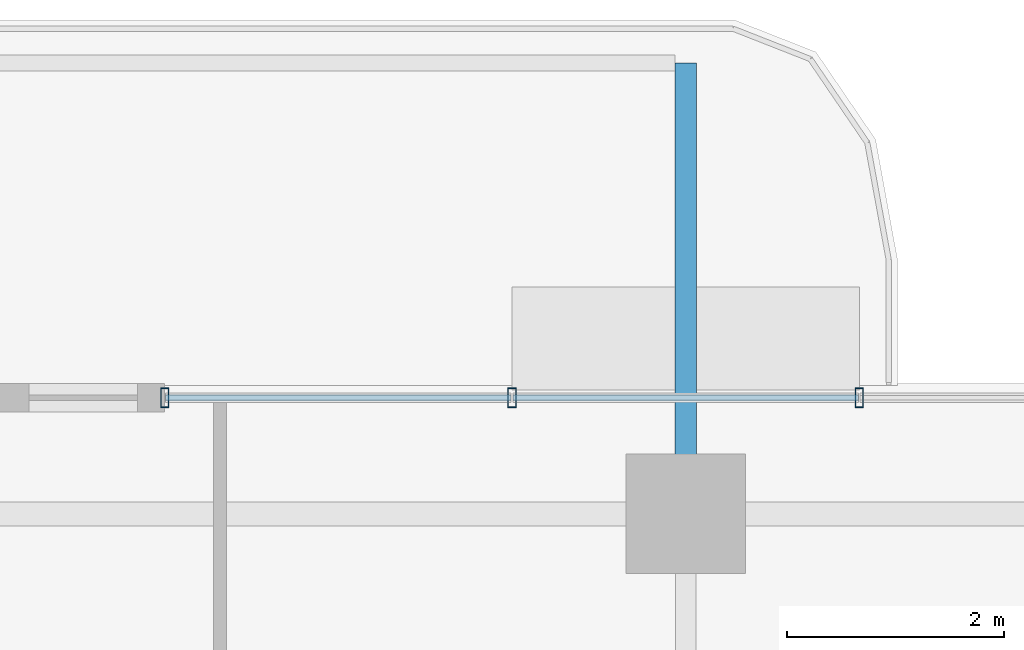
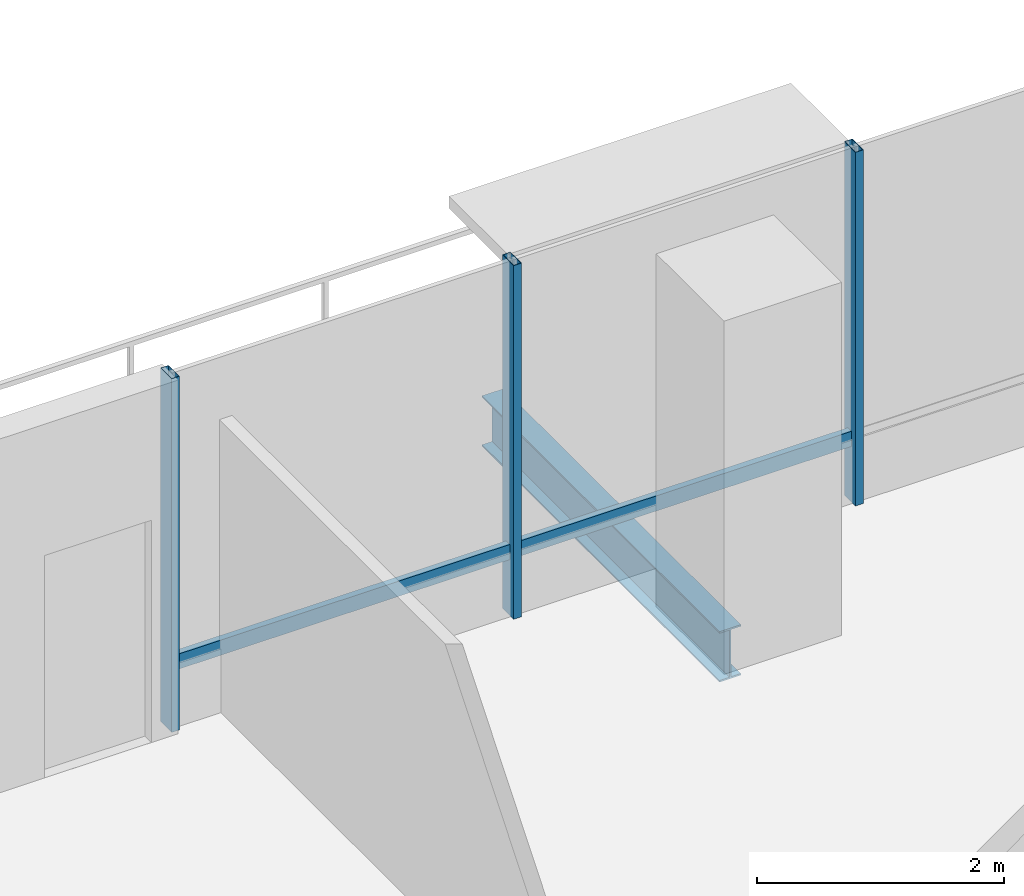
# One storey, part 11 of 24: 5 members, 1 beam, 1 element without a shape of its own.
"""IFC4 building model written with IfcOpenShell, lengths in metres."""

import ifcopenshell
import ifcopenshell.guid

model = None  # the IFC model being written
_history = None  # IfcOwnerHistory: only IFC2X3 demands one
_inside = {}  # id of a spatial element -> (the spatial element, [elements in it])
_under = {}  # id of a project, library or spatial element -> (it, [spatial elements below it])
_declared = {}  # id of a project -> (the project, [libraries it declares])
_typed = {}  # id of a type object -> (the type object, [elements of that type])
_made_of = {}  # id of a material, layer set ... -> (it, [elements and type objects made of it])


def new_model(schema):
    """Start an empty IFC model of exactly this schema.

    Asked for "IFC4X3", IfcOpenShell would pick the latest addendum, in which some entities
    have other attributes; the version numbers below select the first issue.
    IFC2X3 requires an IfcOwnerHistory on every rooted entity: one is made here for all.
    """
    global model, _history
    if schema == "IFC4X3":
        model = ifcopenshell.file(schema_version=(4, 3, 0, 0))
    else:
        model = ifcopenshell.file(schema=schema)
    _inside.clear()
    _under.clear()
    _declared.clear()
    _typed.clear()
    _made_of.clear()
    _history = None
    if model.schema == "IFC2X3":
        org = make("IfcOrganization", Name="unknown")
        user = make(
            "IfcPersonAndOrganization",
            ThePerson=make("IfcPerson", FamilyName="unknown"),
            TheOrganization=org,
        )
        app = make(
            "IfcApplication",
            ApplicationDeveloper=org,
            Version="unknown",
            ApplicationFullName="unknown",
            ApplicationIdentifier="unknown",
        )
        _history = make(
            "IfcOwnerHistory",
            OwningUser=user,
            OwningApplication=app,
            ChangeAction="ADDED",
            CreationDate=0,
        )
    return model


def make(cls, **values):
    """One entity of the class cls with the attributes given. An attribute that is None is left unset."""
    return model.create_entity(
        cls, **{name: value for name, value in values.items() if value is not None}
    )


def rooted(cls, **values):
    """An entity with a GlobalId (a new one), such as an element, a storey or a relation."""
    return make(cls, GlobalId=ifcopenshell.guid.new(), OwnerHistory=_history, **values)


def si_unit(unit_type, name, prefix=None):
    """IfcSIUnit, for example si_unit("LENGTHUNIT", "METRE", prefix="MILLI")."""
    return make("IfcSIUnit", UnitType=unit_type, Prefix=prefix, Name=name)


def assignment(units):
    """IfcUnitAssignment: the units of a project."""
    return None if units is None else make("IfcUnitAssignment", Units=units)


def point(xyz):
    """IfcCartesianPoint."""
    return None if xyz is None else make("IfcCartesianPoint", Coordinates=xyz)


def direction(xyz):
    """IfcDirection."""
    return None if xyz is None else make("IfcDirection", DirectionRatios=xyz)


def frame(location, z_axis=None, x_axis=None):
    """IfcAxis2Placement3D, a coordinate frame: its origin and axes. An axis left out is left unset."""
    return make(
        "IfcAxis2Placement3D",
        Location=point(location),
        Axis=direction(z_axis),
        RefDirection=direction(x_axis),
    )


def frame_2d(location, x_axis=None):
    """IfcAxis2Placement2D, a coordinate frame in the plane: its origin and x axis."""
    return make(
        "IfcAxis2Placement2D", Location=point(location), RefDirection=direction(x_axis)
    )


def origin():
    """The frame at (0, 0, 0) with its axes left unset."""
    return frame((0.0, 0.0, 0.0))


def origin_2d():
    """The frame at (0, 0) in the plane with its x axis left unset."""
    return frame_2d((0.0, 0.0))


def place(relative_to, where):
    """IfcLocalPlacement: puts the frame where relative to a parent placement (None: the world)."""
    return make(
        "IfcLocalPlacement", PlacementRelTo=relative_to, RelativePlacement=where
    )


def context(
    kind, dimensions, precision=None, world=None, true_north=None, identifier=None
):
    """IfcGeometricRepresentationContext, for example the 3D "Model" context."""
    return make(
        "IfcGeometricRepresentationContext",
        ContextIdentifier=identifier,
        ContextType=kind,
        CoordinateSpaceDimension=dimensions,
        Precision=precision,
        WorldCoordinateSystem=world,
        TrueNorth=true_north,
    )


def subcontext(parent, identifier, kind, view, scale=None):
    """IfcGeometricRepresentationSubContext, for example "Body" below "Model"."""
    return make(
        "IfcGeometricRepresentationSubContext",
        ContextIdentifier=identifier,
        ContextType=kind,
        ParentContext=parent,
        TargetScale=scale,
        TargetView=view,
    )


def project(units=None, contexts=None):
    """IfcProject with its units and contexts."""
    return rooted(
        "IfcProject",
        Name="project",
        RepresentationContexts=contexts,
        UnitsInContext=assignment(units),
    )


def spatial(cls, under=None, at=None, **own):
    """A site, building, storey or space (cls), placed at a placement, below another one or the project."""
    s = rooted(cls, ObjectPlacement=at, **own)
    if under is not None:
        _under.setdefault(under.id(), (under, []))[1].append(s)
    return s


def profile(cls, at=None, kind="AREA", **sizes):
    """A parametric profile (cls). Its sizes go by their IFC names, for example OverallWidth=200.0."""
    return make(cls, ProfileType=kind, Position=at, **sizes)


def hollow_rectangle(**sizes):
    """IfcRectangleHollowProfileDef."""
    return profile("IfcRectangleHollowProfileDef", **sizes)


def i_section(**sizes):
    """IfcIShapeProfileDef."""
    return profile("IfcIShapeProfileDef", **sizes)


def extrude(swept, where, along, depth):
    """IfcExtrudedAreaSolid: the profile swept, set in the frame where, extruded along a direction by depth."""
    return make(
        "IfcExtrudedAreaSolid",
        SweptArea=swept,
        Position=where,
        ExtrudedDirection=direction(along),
        Depth=depth,
    )


def shape(context_of_items, identifier, shape_type, items):
    """IfcShapeRepresentation: the items that make up one representation, for example the "Body"."""
    return make(
        "IfcShapeRepresentation",
        ContextOfItems=context_of_items,
        RepresentationIdentifier=identifier,
        RepresentationType=shape_type,
        Items=items,
    )


def material(Name=None, Category=None):
    """IfcMaterial."""
    return make("IfcMaterial", Name=Name, Category=Category)


def layer(
    of_material, thickness, ventilated=None, Name=None, Category=None, Priority=None
):
    """IfcMaterialLayer: one layer of a wall or slab, of a material (None: an air gap)."""
    return make(
        "IfcMaterialLayer",
        Material=of_material,
        LayerThickness=thickness,
        IsVentilated=ventilated,
        Name=Name,
        Category=Category,
        Priority=Priority,
    )


def layer_set(layers, Name=None):
    """IfcMaterialLayerSet."""
    return make("IfcMaterialLayerSet", MaterialLayers=layers, LayerSetName=Name)


def material_profile(
    of_material, cross_section, Name=None, Category=None, Priority=None
):
    """IfcMaterialProfile: a cross section and its material."""
    return make(
        "IfcMaterialProfile",
        Name=Name,
        Material=of_material,
        Profile=cross_section,
        Priority=Priority,
        Category=Category,
    )


def profile_set(profiles, Name=None, composite=None):
    """IfcMaterialProfileSet."""
    return make(
        "IfcMaterialProfileSet",
        Name=Name,
        MaterialProfiles=profiles,
        CompositeProfile=composite,
    )


def made_of(thing, what):
    """Note that an element or type object is made of a material, layer set ...; save() writes the relation."""
    if what is not None:
        _made_of.setdefault(what.id(), (what, []))[1].append(thing)
    return thing


def type_object(cls, material=None, **own):
    """A type object (cls), such as IfcWallType, which elements share."""
    return made_of(rooted(cls, **own), material)


def element(
    cls,
    number,
    at=None,
    inside=None,
    cuts=None,
    type_object=None,
    material=None,
    context=None,
    identifier="Body",
    shape_type=None,
    held_by="IfcProductDefinitionShape",
    body=None,
    shapes=None,
    **own,
):
    """One element of the class cls, such as IfcWall. Its Tag is "e" and its number.

    at: its placement. inside: the storey or other place that contains it. cuts: it is an
    opening in that element (IfcRelVoidsElement). A single representation is given by context,
    identifier, shape_type and body (its items); several are given by shapes. held_by: the class
    of the entity that holds the representations. save() writes the other relations.
    """
    e = rooted(cls, Tag="e%d" % number, ObjectPlacement=at, **own)
    if body is not None:
        shapes = [shape(context, identifier, shape_type, body)]
    if shapes is not None:
        e.Representation = make(held_by, Representations=shapes)
    if inside is not None:
        _inside.setdefault(inside.id(), (inside, []))[1].append(e)
    if cuts is not None:
        rooted(
            "IfcRelVoidsElement", RelatingBuildingElement=cuts, RelatedOpeningElement=e
        )
    if type_object is not None:
        _typed.setdefault(type_object.id(), (type_object, []))[1].append(e)
    return made_of(e, material)


def aggregate(whole, parts):
    """IfcRelAggregates: a whole, such as a stair, and the parts it consists of."""
    return rooted("IfcRelAggregates", RelatingObject=whole, RelatedObjects=parts)


def save(model, path):
    """Write the relations noted so far, then the file.

    IfcRelAggregates (storeys below a building ...), IfcRelContainedInSpatialStructure (elements
    in a storey), IfcRelDefinesByType, IfcRelAssociatesMaterial and IfcRelDeclares: one each for
    every whole, place, type object, material and project.
    """
    for whole, parts in _under.values():
        aggregate(whole, parts)
    for where, things in _inside.values():
        rooted(
            "IfcRelContainedInSpatialStructure",
            RelatedElements=things,
            RelatingStructure=where,
        )
    for kind, things in _typed.values():
        rooted("IfcRelDefinesByType", RelatedObjects=things, RelatingType=kind)
    for what, things in _made_of.values():
        rooted("IfcRelAssociatesMaterial", RelatedObjects=things, RelatingMaterial=what)
    for by, libraries in _declared.values():
        rooted("IfcRelDeclares", RelatingContext=by, RelatedDefinitions=libraries)
    model.write(path)


model = new_model("IFC4")

# Units and contexts
model_context = context("Model", 3, precision=1e-05, world=origin(), true_north=direction((0.0, 1.0)))
body_context = subcontext(model_context, "Body", "Model", "MODEL_VIEW")
ifc_project = project(units=[si_unit("LENGTHUNIT", "METRE"), si_unit("AREAUNIT", "SQUARE_METRE"), si_unit("VOLUMEUNIT", "CUBIC_METRE"), si_unit("PLANEANGLEUNIT", "RADIAN"), si_unit("MASSUNIT", "GRAM", prefix="KILO")], contexts=[model_context])

# Site, building, storey
site_placement = place(None, origin())
site = spatial("IfcSite", under=ifc_project, at=site_placement, CompositionType="ELEMENT")
building_placement = place(site_placement, origin())
building = spatial("IfcBuilding", under=site, at=building_placement, Name="Belovzor Exchange Tower", CompositionType="ELEMENT")
storey_placement = place(building_placement, frame((0.0, 0.0, 233.699951171875)))
storey = spatial("IfcBuildingStorey", under=building, at=storey_placement, Name="L58", CompositionType="ELEMENT", Elevation=233.699951171875)

# Beam
ifc_material_1 = material(Name="Steel S355", Category="steel")
ifc_material_profile_1 = material_profile(ifc_material_1, i_section(OverallWidth=0.199951171875, OverallDepth=0.5, WebThickness=0.01025390625, FlangeThickness=0.01611328125, at=origin_2d()))
ifc_profile_set_1 = profile_set([ifc_material_profile_1], Name="Steel S355")
beam_type = type_object("IfcBeamType", Name="Planted Balcony Cantilever Beam IPE 500", PredefinedType="BEAM", material=ifc_profile_set_1)
beam_placement = place(storey_placement, frame((28.800048828125, 54.903076171875, -0.5), z_axis=(0.0, 1.0, 0.0), x_axis=(-1.0, 0.0, 0.0)))
element("IfcBeam", 1, at=beam_placement, inside=storey, type_object=beam_type, Name="BC-500 Planted Balcony Cantilever Beam IPE 500", PredefinedType="BEAM", context=body_context, shape_type="SweptSolid", body=[
    extrude(i_section(OverallWidth=0.199951171875, OverallDepth=0.5, WebThickness=0.01025390625, FlangeThickness=0.01611328125, at=origin_2d()), origin(), (0.0, 0.0, 1.0), 3.849853515625),
])

# Curtain wall, members
ifc_material_2 = material(Name="Anodised Aluminium Framing", Category="aluminium")
ifc_layer = layer(ifc_material_2, 0.179931640625)
ifc_layer_set = layer_set([ifc_layer], Name="Anodised Aluminium Framing")
curtain_wall_type = type_object("IfcCurtainWallType", Name="Recessed Loggia Low-Iron Triple-Glazed Curtain Wall", PredefinedType="NOTDEFINED", material=ifc_layer_set)
curtain_wall_placement = place(storey_placement, origin())
curtain_wall = element("IfcCurtainWall", 2, at=curtain_wall_placement, inside=storey, type_object=curtain_wall_type, Name="CW3 Recessed Loggia Low-Iron Triple-Glazed Curtain Wall L58", PredefinedType="NOTDEFINED")
ifc_material_3 = material(Name="Steel S355", Category="steel")
ifc_material_profile_2 = material_profile(ifc_material_3, hollow_rectangle(XDim=0.074951171875, YDim=0.179931640625, WallThickness=0.0048828125, at=origin_2d()))
ifc_profile_set_2 = profile_set([ifc_material_profile_2], Name="Steel S355")
member_type_1 = type_object("IfcMemberType", Name="Thermally Broken Curtain Wall Mullion 180x75", PredefinedType="MULLION", material=ifc_profile_set_2)
member_1_placement = place(storey_placement, frame((24.0, 55.669921875, 0.0), z_axis=(0.0, 0.0, 1.0), x_axis=(1.0, 0.0, 0.0)))
member_1 = element("IfcMember", 3, at=member_1_placement, type_object=member_type_1, Name="CW-M180 Curtain Wall Mullion 1", PredefinedType="MULLION", context=body_context, shape_type="SweptSolid", body=[
    extrude(hollow_rectangle(XDim=0.074951171875, YDim=0.179931640625, WallThickness=0.0048828125, at=origin_2d()), origin(), (0.0, 0.0, 1.0), 3.5),
])
member_2_placement = place(storey_placement, frame((27.199951171875, 55.669921875, 0.0), z_axis=(0.0, 0.0, 1.0), x_axis=(1.0, 0.0, 0.0)))
member_2 = element("IfcMember", 4, at=member_2_placement, type_object=member_type_1, Name="CW-M180 Curtain Wall Mullion 2", PredefinedType="MULLION", context=body_context, shape_type="SweptSolid", body=[
    extrude(hollow_rectangle(XDim=0.074951171875, YDim=0.179931640625, WallThickness=0.0048828125, at=origin_2d()), origin(), (0.0, 0.0, 1.0), 3.5),
])
member_3_placement = place(storey_placement, frame((30.39990234375, 55.669921875, 0.0), z_axis=(0.0, 0.0, 1.0), x_axis=(1.0, 0.0, 0.0)))
member_3 = element("IfcMember", 5, at=member_3_placement, type_object=member_type_1, Name="CW-M180 Curtain Wall Mullion 3", PredefinedType="MULLION", context=body_context, shape_type="SweptSolid", body=[
    extrude(hollow_rectangle(XDim=0.074951171875, YDim=0.179931640625, WallThickness=0.0048828125, at=origin_2d()), origin(), (0.0, 0.0, 1.0), 3.5),
])
ifc_material_4 = material(Name="Steel S355", Category="steel")
ifc_material_profile_3 = material_profile(ifc_material_4, hollow_rectangle(XDim=0.06005859375, YDim=0.14990234375, WallThickness=0.00390625, at=origin_2d()))
ifc_profile_set_3 = profile_set([ifc_material_profile_3], Name="Steel S355")
member_type_2 = type_object("IfcMemberType", Name="Thermally Broken Curtain Wall Transom 150x60", PredefinedType="USERDEFINED", material=ifc_profile_set_3)
member_4_placement = place(storey_placement, frame((24.008056640625, 55.669921875, 0.630126953125), z_axis=(1.0, 0.0, 0.0), x_axis=(0.0, 1.0, 0.0)))
member_4 = element("IfcMember", 6, at=member_4_placement, type_object=member_type_2, Name="CW-T150 Curtain Wall Transom 1", ObjectType="TRANSOM", PredefinedType="USERDEFINED", context=body_context, shape_type="SweptSolid", body=[
    extrude(hollow_rectangle(XDim=0.06005859375, YDim=0.14990234375, WallThickness=0.00390625, at=origin_2d()), origin(), (0.0, 0.0, 1.0), 3.183837890625),
])
member_5_placement = place(storey_placement, frame((27.2080078125, 55.669921875, 0.630126953125), z_axis=(1.0, 0.0, 0.0), x_axis=(0.0, 1.0, 0.0)))
member_5 = element("IfcMember", 7, at=member_5_placement, type_object=member_type_2, Name="CW-T150 Curtain Wall Transom 2", ObjectType="TRANSOM", PredefinedType="USERDEFINED", context=body_context, shape_type="SweptSolid", body=[
    extrude(hollow_rectangle(XDim=0.06005859375, YDim=0.14990234375, WallThickness=0.00390625, at=origin_2d()), origin(), (0.0, 0.0, 1.0), 3.18408203125),
])
aggregate(curtain_wall, [member_1, member_2, member_3, member_4, member_5])

save(model, "model.ifc")
